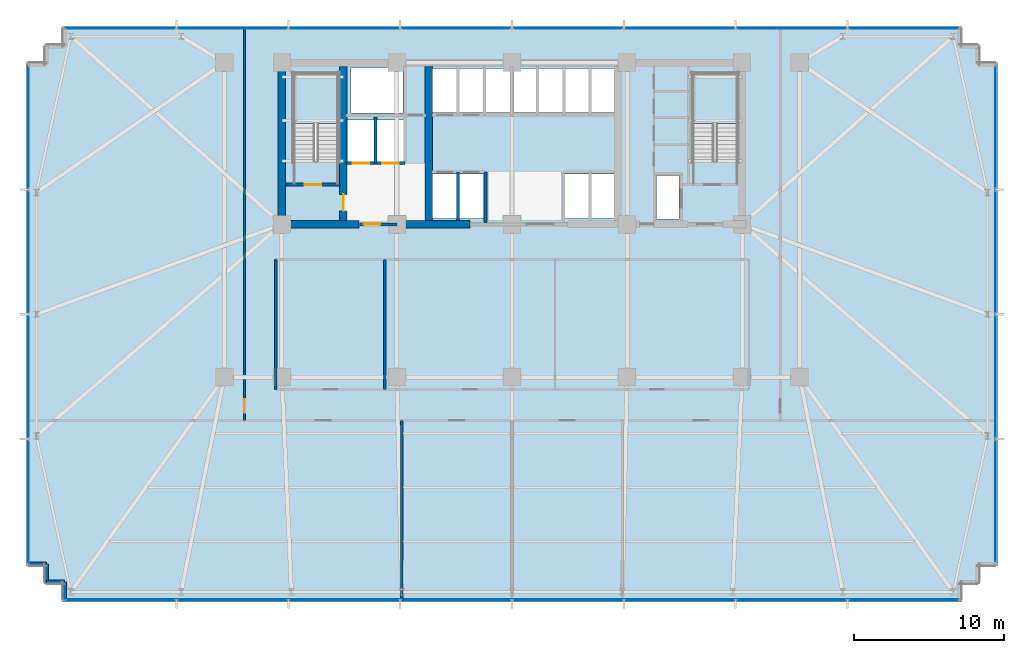
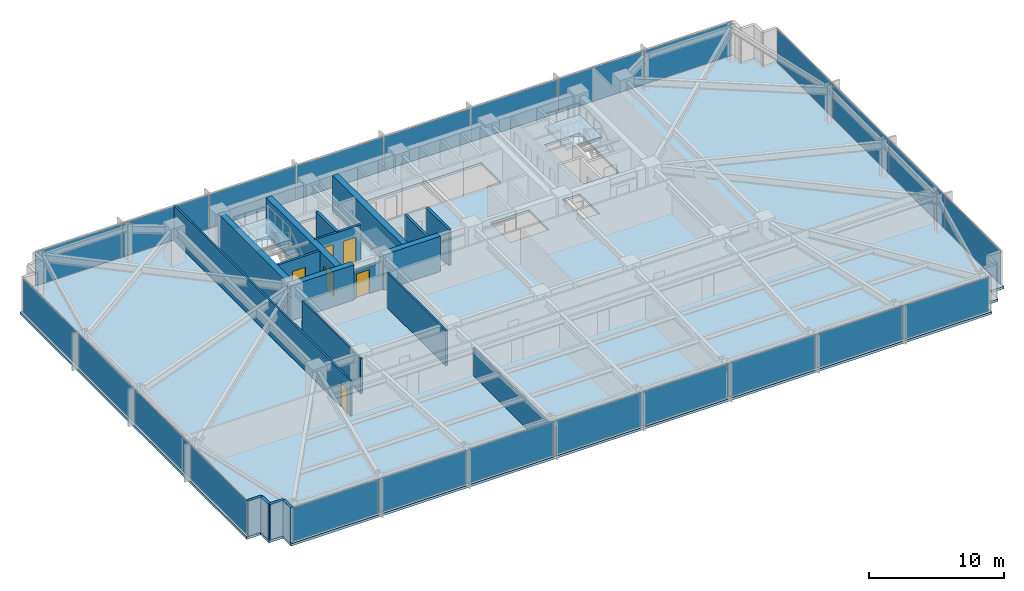
# One storey, part 24 of 33: 24 plates, 19 walls, 6 doors, 3 slabs, 6 openings, 6 elements without a shape of their own.
"""IFC4 building model written with IfcOpenShell, lengths in metres."""

from ifc_helpers import new_model, si_unit, direction, frame, frame_2d, origin, origin_2d, place, context, subcontext, project, spatial, polyline, rectangle, outline, extrude, material, layer, layer_set, type_object, element, fill, aggregate, save


model = new_model("IFC4")

# Units and contexts
model_context = context("Model", 3, precision=1e-05, world=origin(), true_north=direction((0.0, 1.0)))
body_context = subcontext(model_context, "Body", "Model", "MODEL_VIEW")
ifc_project = project(units=[si_unit("LENGTHUNIT", "METRE"), si_unit("AREAUNIT", "SQUARE_METRE"), si_unit("VOLUMEUNIT", "CUBIC_METRE"), si_unit("PLANEANGLEUNIT", "RADIAN"), si_unit("MASSUNIT", "GRAM", prefix="KILO")], contexts=[model_context])

# Site, building, storey
site_placement = place(None, origin())
site = spatial("IfcSite", under=ifc_project, at=site_placement, CompositionType="ELEMENT")
building_placement = place(site_placement, origin())
building = spatial("IfcBuilding", under=site, at=building_placement, Name="Yelkora Congress Tower", CompositionType="ELEMENT")
storey_placement = place(building_placement, frame((0.0, 0.0, 47.39990234375)))
storey = spatial("IfcBuildingStorey", under=building, at=storey_placement, Name="L11", CompositionType="ELEMENT", Elevation=47.39990234375)

# Curtain wall, plates
ifc_material_1 = material(Name="Anodised aluminium and insulated glass", Category="aluminium")
curtain_wall_type = type_object("IfcCurtainWallType", Name="CW-SYS-B1", PredefinedType="NOTDEFINED", material=ifc_material_1)
curtain_wall_1_placement = place(storey_placement, origin())
curtain_wall_1 = element("IfcCurtainWall", 1, at=curtain_wall_1_placement, inside=storey, type_object=curtain_wall_type, Name="L11 Unitised Curtain Wall 5", PredefinedType="NOTDEFINED")
ifc_material_2 = material(Name="Solar-control low-E glass unit B1", Category="glass")
ifc_layer_1 = layer(ifc_material_2, 0.0400390625)
ifc_layer_set_1 = layer_set([ifc_layer_1], Name="Solar-control low-E glass unit B1")
plate_type = type_object("IfcPlateType", Name="PLT-PN-B1", PredefinedType="CURTAIN_PANEL", material=ifc_layer_set_1)
plate_1_placement = place(storey_placement, frame((6.139892578125, 16.923828125, 0.06494140625), z_axis=(0.0, 0.0, 1.0), x_axis=(0.0, 1.0, 0.0)))
plate_1 = element("IfcPlate", 2, at=plate_1_placement, type_object=plate_type, Name="CW-B1 panel 1.1", PredefinedType="CURTAIN_PANEL", context=body_context, shape_type="SweptSolid", body=[
    extrude(rectangle(XDim=8.217529296875, YDim=0.0400390625, at=origin_2d()), origin(), (0.0, 0.0, 1.0), 3.050048828125),
])
plate_2_placement = place(storey_placement, frame((6.139892578125, 25.235107421875, 0.06494140625), z_axis=(0.0, 0.0, 1.0), x_axis=(0.0, 1.0, 0.0)))
plate_2 = element("IfcPlate", 3, at=plate_2_placement, type_object=plate_type, Name="CW-B1 panel 2.1", PredefinedType="CURTAIN_PANEL", context=body_context, shape_type="SweptSolid", body=[
    extrude(rectangle(XDim=8.2548828125, YDim=0.0400390625, at=origin_2d()), origin(), (0.0, 0.0, 1.0), 3.050048828125),
])
plate_3_placement = place(storey_placement, frame((6.139892578125, 33.56494140625, 0.06494140625), z_axis=(0.0, 0.0, 1.0), x_axis=(0.0, 1.0, 0.0)))
plate_3 = element("IfcPlate", 4, at=plate_3_placement, type_object=plate_type, Name="CW-B1 panel 3.1", PredefinedType="CURTAIN_PANEL", context=body_context, shape_type="SweptSolid", body=[
    extrude(rectangle(XDim=8.2548828125, YDim=0.0400390625, at=origin_2d()), origin(), (0.0, 0.0, 1.0), 3.050048828125),
])
plate_4_placement = place(storey_placement, frame((6.139892578125, 41.876220703125, 0.06494140625), z_axis=(0.0, 0.0, 1.0), x_axis=(0.0, 1.0, 0.0)))
plate_4 = element("IfcPlate", 5, at=plate_4_placement, type_object=plate_type, Name="CW-B1 panel 4.1", PredefinedType="CURTAIN_PANEL", context=body_context, shape_type="SweptSolid", body=[
    extrude(rectangle(XDim=8.217529296875, YDim=0.0400390625, at=origin_2d()), origin(), (0.0, 0.0, 1.0), 3.050048828125),
])
aggregate(curtain_wall_1, [plate_1, plate_2, plate_3, plate_4])

curtain_wall_2_placement = place(storey_placement, origin())
curtain_wall_2 = element("IfcCurtainWall", 6, at=curtain_wall_2_placement, inside=storey, type_object=curtain_wall_type, Name="L11 Unitised Curtain Wall 10", PredefinedType="NOTDEFINED")
plate_5_placement = place(storey_placement, frame((12.291259765625, 48.4599609375, 0.06494140625), z_axis=(0.0, 0.0, 1.0), x_axis=(1.0, 0.0, 0.0)))
plate_5 = element("IfcPlate", 7, at=plate_5_placement, type_object=plate_type, Name="CW-B1 panel 1.1", PredefinedType="CURTAIN_PANEL", context=body_context, shape_type="SweptSolid", body=[
    extrude(rectangle(XDim=7.3525390625, YDim=0.0400390625, at=origin_2d()), origin(), (0.0, 0.0, 1.0), 3.050048828125),
])
plate_6_placement = place(storey_placement, frame((19.737548828125, 48.4599609375, 0.06494140625), z_axis=(0.0, 0.0, 1.0), x_axis=(1.0, 0.0, 0.0)))
plate_6 = element("IfcPlate", 8, at=plate_6_placement, type_object=plate_type, Name="CW-B1 panel 2.1", PredefinedType="CURTAIN_PANEL", context=body_context, shape_type="SweptSolid", body=[
    extrude(rectangle(XDim=7.389892578125, YDim=0.0400390625, at=origin_2d()), origin(), (0.0, 0.0, 1.0), 3.050048828125),
])
plate_7_placement = place(storey_placement, frame((27.202392578125, 48.4599609375, 0.06494140625), z_axis=(0.0, 0.0, 1.0), x_axis=(1.0, 0.0, 0.0)))
plate_7 = element("IfcPlate", 9, at=plate_7_placement, type_object=plate_type, Name="CW-B1 panel 3.1", PredefinedType="CURTAIN_PANEL", context=body_context, shape_type="SweptSolid", body=[
    extrude(rectangle(XDim=7.389892578125, YDim=0.0400390625, at=origin_2d()), origin(), (0.0, 0.0, 1.0), 3.050048828125),
])
plate_8_placement = place(storey_placement, frame((34.66748046875, 48.4599609375, 0.06494140625), z_axis=(0.0, 0.0, 1.0), x_axis=(1.0, 0.0, 0.0)))
plate_8 = element("IfcPlate", 10, at=plate_8_placement, type_object=plate_type, Name="CW-B1 panel 4.1", PredefinedType="CURTAIN_PANEL", context=body_context, shape_type="SweptSolid", body=[
    extrude(rectangle(XDim=7.389892578125, YDim=0.0400390625, at=origin_2d()), origin(), (0.0, 0.0, 1.0), 3.050048828125),
])
plate_9_placement = place(storey_placement, frame((42.132568359375, 48.4599609375, 0.06494140625), z_axis=(0.0, 0.0, 1.0), x_axis=(1.0, 0.0, 0.0)))
plate_9 = element("IfcPlate", 11, at=plate_9_placement, type_object=plate_type, Name="CW-B1 panel 5.1", PredefinedType="CURTAIN_PANEL", context=body_context, shape_type="SweptSolid", body=[
    extrude(rectangle(XDim=7.389892578125, YDim=0.0400390625, at=origin_2d()), origin(), (0.0, 0.0, 1.0), 3.050048828125),
])
plate_10_placement = place(storey_placement, frame((49.597412109375, 48.4599609375, 0.06494140625), z_axis=(0.0, 0.0, 1.0), x_axis=(1.0, 0.0, 0.0)))
plate_10 = element("IfcPlate", 12, at=plate_10_placement, type_object=plate_type, Name="CW-B1 panel 6.1", PredefinedType="CURTAIN_PANEL", context=body_context, shape_type="SweptSolid", body=[
    extrude(rectangle(XDim=7.389892578125, YDim=0.0400390625, at=origin_2d()), origin(), (0.0, 0.0, 1.0), 3.050048828125),
])
plate_11_placement = place(storey_placement, frame((57.0625, 48.4599609375, 0.06494140625), z_axis=(0.0, 0.0, 1.0), x_axis=(1.0, 0.0, 0.0)))
plate_11 = element("IfcPlate", 13, at=plate_11_placement, type_object=plate_type, Name="CW-B1 panel 7.1", PredefinedType="CURTAIN_PANEL", context=body_context, shape_type="SweptSolid", body=[
    extrude(rectangle(XDim=7.389892578125, YDim=0.0400390625, at=origin_2d()), origin(), (0.0, 0.0, 1.0), 3.050048828125),
])
plate_12_placement = place(storey_placement, frame((64.5087890625, 48.4599609375, 0.06494140625), z_axis=(0.0, 0.0, 1.0), x_axis=(1.0, 0.0, 0.0)))
plate_12 = element("IfcPlate", 14, at=plate_12_placement, type_object=plate_type, Name="CW-B1 panel 8.1", PredefinedType="CURTAIN_PANEL", context=body_context, shape_type="SweptSolid", body=[
    extrude(rectangle(XDim=7.3525390625, YDim=0.0400390625, at=origin_2d()), origin(), (0.0, 0.0, 1.0), 3.050048828125),
])
aggregate(curtain_wall_2, [plate_5, plate_6, plate_7, plate_8, plate_9, plate_10, plate_11, plate_12])

curtain_wall_3_placement = place(storey_placement, origin())
curtain_wall_3 = element("IfcCurtainWall", 15, at=curtain_wall_3_placement, inside=storey, type_object=curtain_wall_type, Name="L11 Unitised Curtain Wall 15", PredefinedType="NOTDEFINED")
plate_13_placement = place(storey_placement, frame((70.659912109375, 41.876220703125, 0.06494140625), z_axis=(0.0, 0.0, 1.0), x_axis=(0.0, -1.0, 0.0)))
plate_13 = element("IfcPlate", 16, at=plate_13_placement, type_object=plate_type, Name="CW-B1 panel 1.1", PredefinedType="CURTAIN_PANEL", context=body_context, shape_type="SweptSolid", body=[
    extrude(rectangle(XDim=8.217529296875, YDim=0.0400390625, at=origin_2d()), origin(), (0.0, 0.0, 1.0), 3.050048828125),
])
plate_14_placement = place(storey_placement, frame((70.659912109375, 33.56494140625, 0.06494140625), z_axis=(0.0, 0.0, 1.0), x_axis=(0.0, -1.0, 0.0)))
plate_14 = element("IfcPlate", 17, at=plate_14_placement, type_object=plate_type, Name="CW-B1 panel 2.1", PredefinedType="CURTAIN_PANEL", context=body_context, shape_type="SweptSolid", body=[
    extrude(rectangle(XDim=8.2548828125, YDim=0.0400390625, at=origin_2d()), origin(), (0.0, 0.0, 1.0), 3.050048828125),
])
plate_15_placement = place(storey_placement, frame((70.659912109375, 25.235107421875, 0.06494140625), z_axis=(0.0, 0.0, 1.0), x_axis=(0.0, -1.0, 0.0)))
plate_15 = element("IfcPlate", 18, at=plate_15_placement, type_object=plate_type, Name="CW-B1 panel 3.1", PredefinedType="CURTAIN_PANEL", context=body_context, shape_type="SweptSolid", body=[
    extrude(rectangle(XDim=8.2548828125, YDim=0.0400390625, at=origin_2d()), origin(), (0.0, 0.0, 1.0), 3.050048828125),
])
plate_16_placement = place(storey_placement, frame((70.659912109375, 16.923828125, 0.06494140625), z_axis=(0.0, 0.0, 1.0), x_axis=(0.0, -1.0, 0.0)))
plate_16 = element("IfcPlate", 19, at=plate_16_placement, type_object=plate_type, Name="CW-B1 panel 4.1", PredefinedType="CURTAIN_PANEL", context=body_context, shape_type="SweptSolid", body=[
    extrude(rectangle(XDim=8.217529296875, YDim=0.0400390625, at=origin_2d()), origin(), (0.0, 0.0, 1.0), 3.050048828125),
])
aggregate(curtain_wall_3, [plate_13, plate_14, plate_15, plate_16])

curtain_wall_4_placement = place(storey_placement, origin())
curtain_wall_4 = element("IfcCurtainWall", 20, at=curtain_wall_4_placement, inside=storey, type_object=curtain_wall_type, Name="L11 Unitised Curtain Wall 20", PredefinedType="NOTDEFINED")
plate_17_placement = place(storey_placement, frame((64.5087890625, 10.340087890625, 0.06494140625), z_axis=(0.0, 0.0, 1.0), x_axis=(-1.0, 0.0, 0.0)))
plate_17 = element("IfcPlate", 21, at=plate_17_placement, type_object=plate_type, Name="CW-B1 panel 1.1", PredefinedType="CURTAIN_PANEL", context=body_context, shape_type="SweptSolid", body=[
    extrude(rectangle(XDim=7.3525390625, YDim=0.0400390625, at=origin_2d()), origin(), (0.0, 0.0, 1.0), 3.050048828125),
])
plate_18_placement = place(storey_placement, frame((57.0625, 10.340087890625, 0.06494140625), z_axis=(0.0, 0.0, 1.0), x_axis=(-1.0, 0.0, 0.0)))
plate_18 = element("IfcPlate", 22, at=plate_18_placement, type_object=plate_type, Name="CW-B1 panel 2.1", PredefinedType="CURTAIN_PANEL", context=body_context, shape_type="SweptSolid", body=[
    extrude(rectangle(XDim=7.389892578125, YDim=0.0400390625, at=origin_2d()), origin(), (0.0, 0.0, 1.0), 3.050048828125),
])
plate_19_placement = place(storey_placement, frame((49.597412109375, 10.340087890625, 0.06494140625), z_axis=(0.0, 0.0, 1.0), x_axis=(-1.0, 0.0, 0.0)))
plate_19 = element("IfcPlate", 23, at=plate_19_placement, type_object=plate_type, Name="CW-B1 panel 3.1", PredefinedType="CURTAIN_PANEL", context=body_context, shape_type="SweptSolid", body=[
    extrude(rectangle(XDim=7.389892578125, YDim=0.0400390625, at=origin_2d()), origin(), (0.0, 0.0, 1.0), 3.050048828125),
])
plate_20_placement = place(storey_placement, frame((42.132568359375, 10.340087890625, 0.06494140625), z_axis=(0.0, 0.0, 1.0), x_axis=(-1.0, 0.0, 0.0)))
plate_20 = element("IfcPlate", 24, at=plate_20_placement, type_object=plate_type, Name="CW-B1 panel 4.1", PredefinedType="CURTAIN_PANEL", context=body_context, shape_type="SweptSolid", body=[
    extrude(rectangle(XDim=7.389892578125, YDim=0.0400390625, at=origin_2d()), origin(), (0.0, 0.0, 1.0), 3.050048828125),
])
plate_21_placement = place(storey_placement, frame((34.66748046875, 10.340087890625, 0.06494140625), z_axis=(0.0, 0.0, 1.0), x_axis=(-1.0, 0.0, 0.0)))
plate_21 = element("IfcPlate", 25, at=plate_21_placement, type_object=plate_type, Name="CW-B1 panel 5.1", PredefinedType="CURTAIN_PANEL", context=body_context, shape_type="SweptSolid", body=[
    extrude(rectangle(XDim=7.389892578125, YDim=0.0400390625, at=origin_2d()), origin(), (0.0, 0.0, 1.0), 3.050048828125),
])
plate_22_placement = place(storey_placement, frame((27.202392578125, 10.340087890625, 0.06494140625), z_axis=(0.0, 0.0, 1.0), x_axis=(-1.0, 0.0, 0.0)))
plate_22 = element("IfcPlate", 26, at=plate_22_placement, type_object=plate_type, Name="CW-B1 panel 6.1", PredefinedType="CURTAIN_PANEL", context=body_context, shape_type="SweptSolid", body=[
    extrude(rectangle(XDim=7.389892578125, YDim=0.0400390625, at=origin_2d()), origin(), (0.0, 0.0, 1.0), 3.050048828125),
])
plate_23_placement = place(storey_placement, frame((19.737548828125, 10.340087890625, 0.06494140625), z_axis=(0.0, 0.0, 1.0), x_axis=(-1.0, 0.0, 0.0)))
plate_23 = element("IfcPlate", 27, at=plate_23_placement, type_object=plate_type, Name="CW-B1 panel 7.1", PredefinedType="CURTAIN_PANEL", context=body_context, shape_type="SweptSolid", body=[
    extrude(rectangle(XDim=7.389892578125, YDim=0.0400390625, at=origin_2d()), origin(), (0.0, 0.0, 1.0), 3.050048828125),
])
plate_24_placement = place(storey_placement, frame((12.291259765625, 10.340087890625, 0.06494140625), z_axis=(0.0, 0.0, 1.0), x_axis=(-1.0, 0.0, 0.0)))
plate_24 = element("IfcPlate", 28, at=plate_24_placement, type_object=plate_type, Name="CW-B1 panel 8.1", PredefinedType="CURTAIN_PANEL", context=body_context, shape_type="SweptSolid", body=[
    extrude(rectangle(XDim=7.3525390625, YDim=0.0400390625, at=origin_2d()), origin(), (0.0, 0.0, 1.0), 3.050048828125),
])
aggregate(curtain_wall_4, [plate_17, plate_18, plate_19, plate_20, plate_21, plate_22, plate_23, plate_24])

# Stair, slab
ifc_material_3 = material(Name="Concrete C40/50", Category="concrete")
stair_type = type_object("IfcStairType", Name="STAIR-HT-1420-R20-170", PredefinedType="HALF_TURN_STAIR", material=ifc_material_3)
stair_1_placement = place(storey_placement, origin())
stair_1 = element("IfcStair", 29, at=stair_1_placement, inside=storey, type_object=stair_type, Name="West Core Protected Exit Stair ST-01 (L11)", PredefinedType="HALF_TURN_STAIR")
ifc_layer_2 = layer(ifc_material_3, 0.219970703125)
ifc_layer_set_2 = layer_set([ifc_layer_2], Name="Concrete C40/50")
slab_type_1 = type_object("IfcSlabType", Name="SLAB-LANDING-220", PredefinedType="LANDING", material=ifc_layer_set_2)
slab_1_placement = place(storey_placement, frame((0.0, 0.0, 1.47998046875)))
slab_1 = element("IfcSlab", 30, at=slab_1_placement, type_object=slab_type_1, Name="ST-01 L11 Half Landing 1", PredefinedType="LANDING", context=body_context, shape_type="SweptSolid", body=[
    extrude(outline(polyline([(26.820068359375, 42.1201171875), (26.820068359375, 45.469970703125), (23.820068359375, 45.469970703125), (23.820068359375, 42.1201171875), (26.820068359375, 42.1201171875)])), origin(), (0.0, 0.0, 1.0), 0.22021484375),
])
aggregate(stair_1, [slab_1])

stair_2_placement = place(storey_placement, origin())
stair_2 = element("IfcStair", 31, at=stair_2_placement, inside=storey, type_object=stair_type, Name="East Core Protected Exit Stair ST-02 (L11)", PredefinedType="HALF_TURN_STAIR")
slab_2_placement = place(storey_placement, frame((0.0, 0.0, 1.47998046875)))
slab_2 = element("IfcSlab", 32, at=slab_2_placement, type_object=slab_type_1, Name="ST-02 L11 Half Landing 1", PredefinedType="LANDING", context=body_context, shape_type="SweptSolid", body=[
    extrude(outline(polyline([(53.4599609375, 42.1201171875), (53.4599609375, 45.469970703125), (50.4599609375, 45.469970703125), (50.4599609375, 42.1201171875), (53.4599609375, 42.1201171875)])), origin(), (0.0, 0.0, 1.0), 0.22021484375),
])
aggregate(stair_2, [slab_2])

# Slab
ifc_layer_3 = layer(ifc_material_3, 0.219970703125)
ifc_layer_set_3 = layer_set([ifc_layer_3], Name="Concrete C40/50")
slab_type_2 = type_object("IfcSlabType", Name="SLAB-TWR-220", PredefinedType="FLOOR", material=ifc_layer_set_3)
slab_3_placement = place(storey_placement, frame((0.0, 0.0, -0.219970703125)))
element("IfcSlab", 33, at=slab_3_placement, inside=storey, type_object=slab_type_2, Name="L11 Structural Floor Slab", PredefinedType="FLOOR", context=body_context, shape_type="SweptSolid", body=[
    extrude(outline(polyline([(8.39990234375, 10.199951171875), (68.39990234375, 10.199951171875), (68.39990234375, 11.39990234375), (69.60009765625, 11.39990234375), (69.60009765625, 12.60009765625), (70.800048828125, 12.60009765625), (70.800048828125, 46.199951171875), (69.60009765625, 46.199951171875), (69.60009765625, 47.39990234375), (68.39990234375, 47.39990234375), (68.39990234375, 48.60009765625), (8.39990234375, 48.60009765625), (8.39990234375, 47.39990234375), (7.199951171875, 47.39990234375), (7.199951171875, 46.199951171875), (6.0, 46.199951171875), (6.0, 12.60009765625), (7.199951171875, 12.60009765625), (7.199951171875, 11.39990234375), (8.39990234375, 11.39990234375), (8.39990234375, 10.199951171875)]), holes=[polyline([(23.820068359375, 39.6298828125), (26.820068359375, 39.6298828125), (26.820068359375, 45.469970703125), (23.820068359375, 45.469970703125), (23.820068359375, 39.6298828125)]), polyline([(50.4599609375, 39.6298828125), (53.4599609375, 39.6298828125), (53.4599609375, 45.469970703125), (50.4599609375, 45.469970703125), (50.4599609375, 39.6298828125)]), polyline([(48.050048828125, 35.75), (49.550048828125, 35.75), (49.550048828125, 38.64990234375), (48.050048828125, 38.64990234375), (48.050048828125, 35.75)]), polyline([(41.949951171875, 35.800048828125), (45.25, 35.800048828125), (45.25, 38.75), (41.949951171875, 38.75), (41.949951171875, 35.800048828125)]), polyline([(33.10009765625, 42.85009765625), (45.25, 42.85009765625), (45.25, 45.800048828125), (33.10009765625, 45.800048828125), (33.10009765625, 42.85009765625)]), polyline([(33.10009765625, 35.800048828125), (36.5, 35.800048828125), (36.5, 38.75), (33.10009765625, 38.75), (33.10009765625, 35.800048828125)]), polyline([(27.419921875, 39.60009765625), (31.179931640625, 39.60009765625), (31.179931640625, 42.35009765625), (27.419921875, 42.35009765625), (27.419921875, 39.60009765625)]), polyline([(27.64990234375, 42.820068359375), (31.1201171875, 42.820068359375), (31.1201171875, 45.8798828125), (27.64990234375, 45.8798828125), (27.64990234375, 42.820068359375)])]), origin(), (0.0, 0.0, 1.0), 0.219970703125),
])

# Walls
ifc_material_4 = material(Name="Concrete C60/75", Category="concrete")
ifc_layer_4 = layer(ifc_material_4, 0.5)
ifc_layer_set_4 = layer_set([ifc_layer_4], Name="Concrete C60/75")
wall_type_1 = type_object("IfcWallType", Name="WALL-CORE-INT-500", PredefinedType="SHEAR", material=ifc_layer_set_4)
wall_1_placement = place(storey_placement, frame((22.7900390625, 35.39990234375, 0.0), z_axis=(0.0, 0.0, 1.0), x_axis=(1.0, 0.0, 0.0)))
element("IfcWall", 34, at=wall_1_placement, inside=storey, type_object=wall_type_1, Name="L11 Rear Core South-West Shear Wall", PredefinedType="SHEAR", context=body_context, shape_type="SweptSolid", body=[
    extrude(rectangle(XDim=5.409912109375, YDim=0.5, at=frame_2d((2.705078125, 0.0))), origin(), (0.0, 0.0, 1.0), 3.18017578125),
])
wall_2_placement = place(storey_placement, frame((30.719970703125, 35.39990234375, 0.0), z_axis=(0.0, 0.0, 1.0), x_axis=(1.0, 0.0, 0.0)))
element("IfcWall", 35, at=wall_2_placement, inside=storey, type_object=wall_type_1, Name="L11 Rear Core South-Center Shear Pier", PredefinedType="SHEAR", context=body_context, shape_type="SweptSolid", body=[
    extrude(rectangle(XDim=4.880126953125, YDim=0.5, at=frame_2d((2.43994140625, 0.0))), origin(), (0.0, 0.0, 1.0), 3.18017578125),
])
wall_3_placement = place(storey_placement, frame((23.0400390625, 35.64990234375, 0.0), z_axis=(0.0, 0.0, 1.0), x_axis=(0.0, 1.0, 0.0)))
element("IfcWall", 36, at=wall_3_placement, inside=storey, type_object=wall_type_1, Name="L11 Rear Core Cross Shear Wall W", PredefinedType="SHEAR", context=body_context, shape_type="SweptSolid", body=[
    extrude(rectangle(XDim=10.300048828125, YDim=0.5, at=frame_2d((5.14990234375, 0.0))), origin(), (0.0, 0.0, 1.0), 3.18017578125),
])

# Wall, opening, door
wall_4_placement = place(storey_placement, frame((27.14990234375, 35.64990234375, 0.0), z_axis=(0.0, 0.0, 1.0), x_axis=(0.0, 1.0, 0.0)))
wall_4 = element("IfcWall", 37, at=wall_4_placement, inside=storey, type_object=wall_type_1, Name="L11 Rear Core Cross Shear Wall C1", PredefinedType="SHEAR", context=body_context, shape_type="SweptSolid", body=[
    extrude(rectangle(XDim=10.300048828125, YDim=0.5, at=frame_2d((5.14990234375, 0.0))), origin(), (0.0, 0.0, 1.0), 3.18017578125),
])
opening_1_placement = place(wall_4_placement, frame((0.64990234375, 0.0, 0.0)))
opening_1 = element("IfcOpeningElement", 38, at=opening_1_placement, cuts=wall_4, Name="Opening DR-110F9", PredefinedType="OPENING", context=body_context, shape_type="SweptSolid", body=[
    extrude(rectangle(XDim=1.10009765625, YDim=2.14990234375, at=frame_2d((0.550048828125, 1.074951171875))), frame((0.0, 0.260009765625, 0.0), z_axis=(0.0, -1.0, 0.0), x_axis=(1.0, 0.0, 0.0)), (0.0, 0.0, 1.0), 0.52001953125),
])
ifc_material_5 = material(Name="Galvanised steel fire door leaf", Category="steel")
door_type_1 = type_object("IfcDoorType", Name="DOOR-FD90-1100", OperationType="NOTDEFINED", PredefinedType="DOOR", material=ifc_material_5)
door_1_placement = place(opening_1_placement, origin())
door_1 = element("IfcDoor", 39, at=door_1_placement, inside=storey, type_object=door_type_1, Name="L11 Firefighting Stair Transfer Door", OperationType="SINGLE_SWING_LEFT", OverallHeight=2.14990234375, OverallWidth=1.10009765625, PredefinedType="DOOR", context=body_context, shape_type="SweptSolid", body=[
    extrude(rectangle(XDim=1.10009765625, YDim=2.14990234375, at=frame_2d((0.550048828125, 1.074951171875))), frame((0.0, 0.02490234375, 0.0), z_axis=(0.0, -1.0, 0.0), x_axis=(1.0, 0.0, 0.0)), (0.0, 0.0, 1.0), 0.050048828125),
])
fill(opening_1, door_1)

# Walls
wall_5_placement = place(storey_placement, frame((32.85009765625, 35.64990234375, 0.0), z_axis=(0.0, 0.0, 1.0), x_axis=(0.0, 1.0, 0.0)))
element("IfcWall", 40, at=wall_5_placement, inside=storey, type_object=wall_type_1, Name="L11 Rear Core Cross Shear Wall C2", PredefinedType="SHEAR", context=body_context, shape_type="SweptSolid", body=[
    extrude(rectangle(XDim=10.300048828125, YDim=0.5, at=frame_2d((5.14990234375, 0.0))), origin(), (0.0, 0.0, 1.0), 3.18017578125),
])
ifc_layer_5 = layer(ifc_material_3, 0.239990234375)
ifc_layer_set_5 = layer_set([ifc_layer_5], Name="Concrete C40/50")
wall_type_2 = type_object("IfcWallType", Name="WALL-EXT-LIMESTONE-240", PredefinedType="SOLIDWALL", material=ifc_layer_set_5)
for number, where, z_axis, x_axis, name in (
    (41, (8.5400390625, 10.340087890625, 0.0), (0.0, 0.0, 1.0), (0.0, 1.0, 0.0), "L11 Serrated Corner Limestone Pier 1"),
    (42, (8.5400390625, 11.5400390625, 0.0), (0.0, 0.0, 1.0), (-1.0, 0.0, 0.0), "L11 Serrated Corner Limestone Pier 2"),
    (43, (7.340087890625, 11.5400390625, 0.0), (0.0, 0.0, 1.0), (0.0, 1.0, 0.0), "L11 Serrated Corner Limestone Pier 3"),
):
    element("IfcWall", number, at=place(storey_placement, frame(where, z_axis=z_axis, x_axis=x_axis)), inside=storey, type_object=wall_type_2, Name=name, PredefinedType="SOLIDWALL", context=body_context, shape_type="SweptSolid", body=[
        extrude(rectangle(XDim=1.199951171875, YDim=0.239990234375, at=frame_2d((0.60009765625, 0.0))), origin(), (0.0, 0.0, 1.0), 3.18017578125),
    ])
wall_6_placement = place(storey_placement, frame((7.340087890625, 12.739990234375, 0.0), z_axis=(0.0, 0.0, 1.0), x_axis=(-1.0, 0.0, 0.0)))
element("IfcWall", 44, at=wall_6_placement, inside=storey, type_object=wall_type_2, Name="L11 Serrated Corner Limestone Pier 4", PredefinedType="SOLIDWALL", context=body_context, shape_type="SweptSolid", body=[
    extrude(rectangle(XDim=1.2001953125, YDim=0.239990234375, at=frame_2d((0.60009765625, 0.0))), origin(), (0.0, 0.0, 1.0), 3.18017578125),
])
ifc_material_6 = material(Name="Acoustic metal-stud gypsum partition", Category="gypsum")
ifc_layer_6 = layer(ifc_material_6, 0.14990234375)
ifc_layer_set_6 = layer_set([ifc_layer_6], Name="Acoustic metal-stud gypsum partition")
wall_type_3 = type_object("IfcWallType", Name="WALL-INT-150-NR", PredefinedType="PARTITIONING", material=ifc_layer_set_6)
wall_7_placement = place(storey_placement, frame((31.0380859375, 10.280029296875, 0.0), z_axis=(0.0, 0.0, 1.0), x_axis=(0.0, 1.0, 0.0)))
element("IfcWall", 45, at=wall_7_placement, inside=storey, type_object=wall_type_3, Name="L11 Partition Wall 32", PredefinedType="PARTITIONING", context=body_context, shape_type="SweptSolid", body=[
    extrude(rectangle(XDim=12.0400390625, YDim=0.14990234375, at=frame_2d((6.02001953125, 0.0))), origin(), (0.0, 0.0, 1.0), 2.47509765625),
])

# Wall, opening, door
wall_8_placement = place(storey_placement, frame((20.550048828125, 22.300048828125, 0.0), z_axis=(0.0, 0.0, 1.0), x_axis=(0.0, 1.0, 0.0)))
wall_8 = element("IfcWall", 46, at=wall_8_placement, inside=storey, type_object=wall_type_3, Name="L11 Partition Wall 36", PredefinedType="PARTITIONING", context=body_context, shape_type="SweptSolid", body=[
    extrude(rectangle(XDim=26.219970703125, YDim=0.14990234375, at=frame_2d((13.10986328125, 0.0))), origin(), (0.0, 0.0, 1.0), 3.18017578125),
])
opening_2_placement = place(wall_8_placement, frame((0.528076171875, 0.0, 0.0)))
opening_2 = element("IfcOpeningElement", 47, at=opening_2_placement, cuts=wall_8, Name="Opening DR-090N", PredefinedType="OPENING", context=body_context, shape_type="SweptSolid", body=[
    extrude(rectangle(XDim=0.89990234375, YDim=2.14990234375, at=frame_2d((0.449951171875, 1.074951171875))), frame((0.0, 0.0849609375, 0.0), z_axis=(0.0, -1.0, 0.0), x_axis=(1.0, 0.0, 0.0)), (0.0, 0.0, 1.0), 0.169921875),
])
ifc_material_7 = material(Name="Moisture-resistant laminate door leaf", Category="wood")
door_type_2 = type_object("IfcDoorType", Name="DOOR-INT-900", OperationType="NOTDEFINED", PredefinedType="DOOR", material=ifc_material_7)
door_2_placement = place(opening_2_placement, origin())
door_2 = element("IfcDoor", 48, at=door_2_placement, inside=storey, type_object=door_type_2, Name="L11 W Wing Door", OperationType="SINGLE_SWING_RIGHT", OverallHeight=2.14990234375, OverallWidth=0.89990234375, PredefinedType="DOOR", context=body_context, shape_type="SweptSolid", body=[
    extrude(rectangle(XDim=0.89990234375, YDim=2.14990234375, at=frame_2d((0.449951171875, 1.074951171875))), frame((0.0, 0.02490234375, 0.0), z_axis=(0.0, -1.0, 0.0), x_axis=(1.0, 0.0, 0.0)), (0.0, 0.0, 1.0), 0.050048828125),
])
fill(opening_2, door_2)

# Walls
for number, where, z_axis, x_axis, name in (
    (49, (22.6298828125, 24.3798828125, 0.0), (0.0, 0.0, 1.0), (0.0, 1.0, 0.0), "L11 Partition Wall 38"),
    (50, (29.90087890625, 24.3798828125, 0.0), (0.0, 0.0, 1.0), (0.0, 1.0, 0.0), "L11 Partition Wall 41"),
):
    element("IfcWall", number, at=place(storey_placement, frame(where, z_axis=z_axis, x_axis=x_axis)), inside=storey, type_object=wall_type_3, Name=name, PredefinedType="PARTITIONING", context=body_context, shape_type="SweptSolid", body=[
        extrude(rectangle(XDim=8.670166015625, YDim=0.14990234375, at=frame_2d((4.3349609375, 0.0))), origin(), (0.0, 0.0, 1.0), 3.18017578125),
    ])

# Wall, opening, door
ifc_material_8 = material(Name="Autoclaved aerated concrete blockwork", Category="masonry")
ifc_layer_7 = layer(ifc_material_8, 0.199951171875)
ifc_layer_set_7 = layer_set([ifc_layer_7], Name="Autoclaved aerated concrete blockwork")
wall_type_4 = type_object("IfcWallType", Name="WALL-INT-200-R120", PredefinedType="PARTITIONING", material=ifc_layer_set_7)
wall_9_placement = place(storey_placement, frame((23.300048828125, 38.050048828125, 0.0), z_axis=(0.0, 0.0, 1.0), x_axis=(1.0, 0.0, 0.0)))
wall_9 = element("IfcWall", 51, at=wall_9_placement, inside=storey, type_object=wall_type_4, Name="L11 Stair ST-01 Enclosure Wall", PredefinedType="PARTITIONING", context=body_context, shape_type="SweptSolid", body=[
    extrude(rectangle(XDim=3.619873046875, YDim=0.199951171875, at=frame_2d((1.81005859375, 0.0))), origin(), (0.0, 0.0, 1.0), 3.18017578125),
])
opening_3_placement = place(wall_9_placement, frame((1.260009765625, 0.0, 0.0)))
opening_3 = element("IfcOpeningElement", 52, at=opening_3_placement, cuts=wall_9, Name="Opening DR-110F9", PredefinedType="OPENING", context=body_context, shape_type="SweptSolid", body=[
    extrude(rectangle(XDim=1.10009765625, YDim=2.14990234375, at=frame_2d((0.550048828125, 1.074951171875))), frame((0.0, 0.10986328125, 0.0), z_axis=(0.0, -1.0, 0.0), x_axis=(1.0, 0.0, 0.0)), (0.0, 0.0, 1.0), 0.219970703125),
])
door_3_placement = place(opening_3_placement, origin())
door_3 = element("IfcDoor", 53, at=door_3_placement, inside=storey, type_object=door_type_1, Name="L11 Stair ST-01 Entry Door", OperationType="SINGLE_SWING_LEFT", OverallHeight=2.14990234375, OverallWidth=1.10009765625, PredefinedType="DOOR", context=body_context, shape_type="SweptSolid", body=[
    extrude(rectangle(XDim=1.10009765625, YDim=2.14990234375, at=frame_2d((0.550048828125, 1.074951171875))), frame((0.0, 0.02490234375, 0.0), z_axis=(0.0, -1.0, 0.0), x_axis=(1.0, 0.0, 0.0)), (0.0, 0.0, 1.0), 0.050048828125),
])
fill(opening_3, door_3)

wall_10_placement = place(storey_placement, frame((28.219970703125, 35.39990234375, 0.0), z_axis=(0.0, 0.0, 1.0), x_axis=(1.0, 0.0, 0.0)))
wall_10 = element("IfcWall", 54, at=wall_10_placement, inside=storey, type_object=wall_type_4, Name="L11 Firefighting Lobby South Wall", PredefinedType="PARTITIONING", context=body_context, shape_type="SweptSolid", body=[
    extrude(rectangle(XDim=2.5, YDim=0.199951171875, at=frame_2d((1.25, 0.0))), origin(), (0.0, 0.0, 1.0), 2.47509765625),
])
opening_4_placement = place(wall_10_placement, frame((0.300048828125, 0.0, 0.0)))
opening_4 = element("IfcOpeningElement", 55, at=opening_4_placement, cuts=wall_10, Name="Opening DR-110F9", PredefinedType="OPENING", context=body_context, shape_type="SweptSolid", body=[
    extrude(rectangle(XDim=1.10009765625, YDim=2.14990234375, at=frame_2d((0.550048828125, 1.074951171875))), frame((0.0, 0.10986328125, 0.0), z_axis=(0.0, -1.0, 0.0), x_axis=(1.0, 0.0, 0.0)), (0.0, 0.0, 1.0), 0.219970703125),
])
door_4_placement = place(opening_4_placement, origin())
door_4 = element("IfcDoor", 56, at=door_4_placement, inside=storey, type_object=door_type_1, Name="L11 Firefighting Lobby Corridor Door", OperationType="SINGLE_SWING_RIGHT", OverallHeight=2.14990234375, OverallWidth=1.10009765625, PredefinedType="DOOR", context=body_context, shape_type="SweptSolid", body=[
    extrude(rectangle(XDim=1.10009765625, YDim=2.14990234375, at=frame_2d((0.550048828125, 1.074951171875))), frame((0.0, 0.02490234375, 0.0), z_axis=(0.0, -1.0, 0.0), x_axis=(1.0, 0.0, 0.0)), (0.0, 0.0, 1.0), 0.050048828125),
])
fill(opening_4, door_4)

# Wall, openings, doors
wall_11_placement = place(storey_placement, frame((27.320068359375, 39.47998046875, 0.0), z_axis=(0.0, 0.0, 1.0), x_axis=(1.0, 0.0, 0.0)))
wall_11 = element("IfcWall", 57, at=wall_11_placement, inside=storey, type_object=wall_type_4, Name="L11 Firefighting Lift Front Wall", PredefinedType="PARTITIONING", context=body_context, shape_type="SweptSolid", body=[
    extrude(rectangle(XDim=3.93994140625, YDim=0.199951171875, at=frame_2d((1.969970703125, 0.0))), origin(), (0.0, 0.0, 1.0), 3.18017578125),
])
opening_5_placement = place(wall_11_placement, frame((0.449951171875, 0.0, 0.0)))
opening_5 = element("IfcOpeningElement", 58, at=opening_5_placement, cuts=wall_11, Name="Opening LD-FF11", PredefinedType="OPENING", context=body_context, shape_type="SweptSolid", body=[
    extrude(rectangle(XDim=1.10009765625, YDim=2.199951171875, at=frame_2d((0.550048828125, 1.10009765625))), frame((0.0, 0.10986328125, 0.0), z_axis=(0.0, -1.0, 0.0), x_axis=(1.0, 0.0, 0.0)), (0.0, 0.0, 1.0), 0.219970703125),
])
opening_6_placement = place(wall_11_placement, frame((2.409912109375, 0.0, 0.0)))
opening_6 = element("IfcOpeningElement", 59, at=opening_6_placement, cuts=wall_11, Name="Opening LD-FF11", PredefinedType="OPENING", context=body_context, shape_type="SweptSolid", body=[
    extrude(rectangle(XDim=1.10009765625, YDim=2.199951171875, at=frame_2d((0.550048828125, 1.10009765625))), frame((0.0, 0.10986328125, 0.0), z_axis=(0.0, -1.0, 0.0), x_axis=(1.0, 0.0, 0.0)), (0.0, 0.0, 1.0), 0.219970703125),
])
ifc_material_9 = material(Name="Brushed stainless steel 316L landing door", Category="steel")
door_type_3 = type_object("IfcDoorType", Name="DOOR-LIFT-FF-1100", OperationType="DOUBLE_DOOR_SLIDING", PredefinedType="DOOR", material=ifc_material_9)
door_5_placement = place(opening_5_placement, origin())
door_5 = element("IfcDoor", 60, at=door_5_placement, inside=storey, type_object=door_type_3, Name="Lift Landing Door LF-FF1 L11", OperationType="DOUBLE_DOOR_SLIDING", OverallHeight=2.199951171875, OverallWidth=1.10009765625, PredefinedType="DOOR", context=body_context, shape_type="SweptSolid", body=[
    extrude(rectangle(XDim=1.10009765625, YDim=2.199951171875, at=frame_2d((0.550048828125, 1.10009765625))), frame((0.0, 0.02490234375, 0.0), z_axis=(0.0, -1.0, 0.0), x_axis=(1.0, 0.0, 0.0)), (0.0, 0.0, 1.0), 0.050048828125),
])
fill(opening_5, door_5)
door_6_placement = place(opening_6_placement, origin())
door_6 = element("IfcDoor", 61, at=door_6_placement, inside=storey, type_object=door_type_3, Name="Lift Landing Door LF-FF2 L11", OperationType="DOUBLE_DOOR_SLIDING", OverallHeight=2.199951171875, OverallWidth=1.10009765625, PredefinedType="DOOR", context=body_context, shape_type="SweptSolid", body=[
    extrude(rectangle(XDim=1.10009765625, YDim=2.199951171875, at=frame_2d((0.550048828125, 1.10009765625))), frame((0.0, 0.02490234375, 0.0), z_axis=(0.0, -1.0, 0.0), x_axis=(1.0, 0.0, 0.0)), (0.0, 0.0, 1.0), 0.050048828125),
])
fill(opening_6, door_6)

# Walls
wall_12_placement = place(storey_placement, frame((29.300048828125, 39.47998046875, 0.0), z_axis=(0.0, 0.0, 1.0), x_axis=(0.0, 1.0, 0.0)))
element("IfcWall", 62, at=wall_12_placement, inside=storey, type_object=wall_type_4, Name="L11 Partition Wall 4", PredefinedType="PARTITIONING", context=body_context, shape_type="SweptSolid", body=[
    extrude(rectangle(XDim=3.070068359375, YDim=0.199951171875, at=frame_2d((1.53515625, 0.0))), origin(), (0.0, 0.0, 1.0), 3.18017578125),
])
wall_13_placement = place(storey_placement, frame((34.800048828125, 35.64990234375, 0.0), z_axis=(0.0, 0.0, 1.0), x_axis=(0.0, 1.0, 0.0)))
element("IfcWall", 63, at=wall_13_placement, inside=storey, type_object=wall_type_4, Name="L11 Partition Wall 13", PredefinedType="PARTITIONING", context=body_context, shape_type="SweptSolid", body=[
    extrude(rectangle(XDim=3.25, YDim=0.199951171875, at=frame_2d((1.625, 0.0))), origin(), (0.0, 0.0, 1.0), 3.18017578125),
])
wall_14_placement = place(storey_placement, frame((36.6201171875, 35.5, 0.0), z_axis=(0.0, 0.0, 1.0), x_axis=(0.0, 1.0, 0.0)))
element("IfcWall", 64, at=wall_14_placement, inside=storey, type_object=wall_type_4, Name="L11 Partition Wall 15", PredefinedType="PARTITIONING", context=body_context, shape_type="SweptSolid", body=[
    extrude(rectangle(XDim=3.39990234375, YDim=0.199951171875, at=frame_2d((1.699951171875, 0.0))), origin(), (0.0, 0.0, 1.0), 3.18017578125),
])

save(model, "model.ifc")
